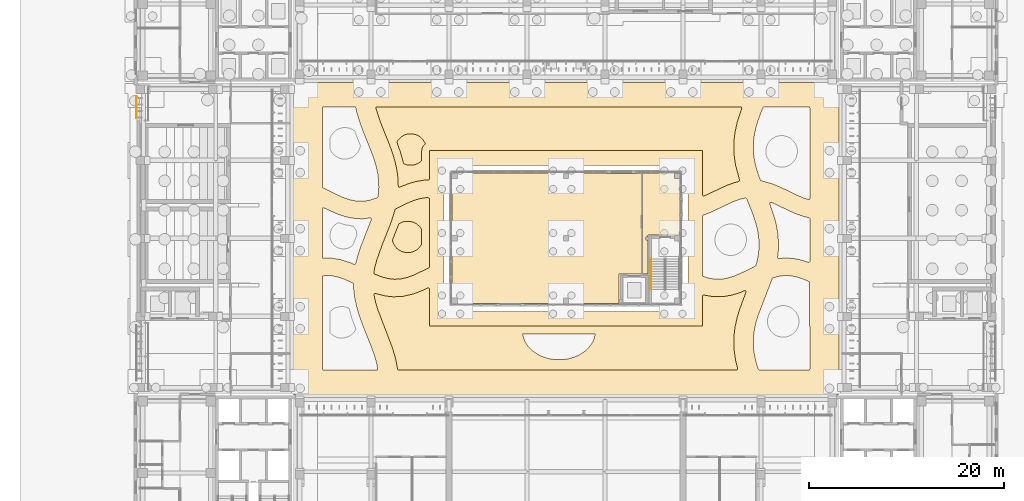
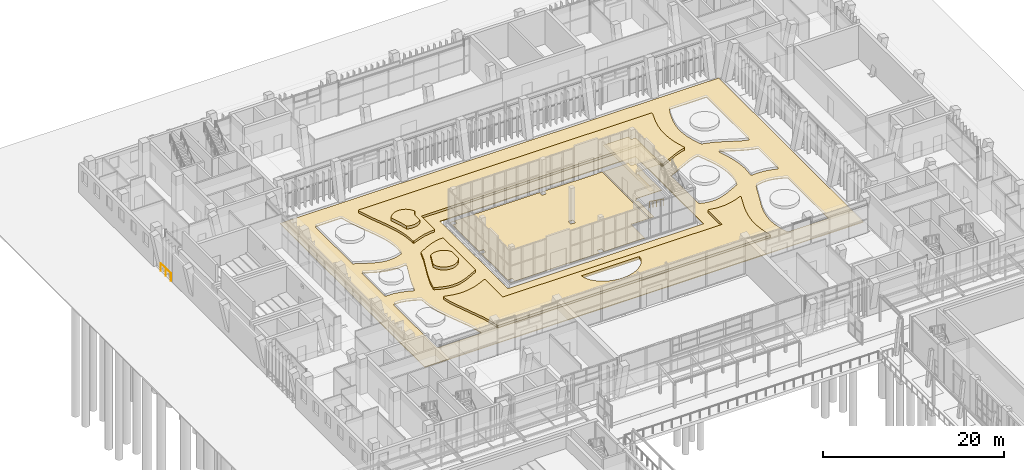
# One storey, part 130 of 144: 9 coverings, 2 railings.
"""IFC4 building model written with IfcOpenShell, lengths in metres."""

from ifc_helpers import new_model, si_unit, direction, frame, origin, origin_2d, place, context, subcontext, project, spatial, polyline, circle, outline, extrude, material, layer, layer_set, type_object, element, save


model = new_model("IFC4")

# Units and contexts
model_context = context("Model", 3, precision=1e-05, world=origin(), true_north=direction((0.0, 1.0)))
body_context = subcontext(model_context, "Body", "Model", "MODEL_VIEW")
ifc_project = project(units=[si_unit("LENGTHUNIT", "METRE"), si_unit("AREAUNIT", "SQUARE_METRE"), si_unit("VOLUMEUNIT", "CUBIC_METRE"), si_unit("PLANEANGLEUNIT", "RADIAN"), si_unit("MASSUNIT", "GRAM", prefix="KILO")], contexts=[model_context])

# Site, building, storey
site_placement = place(None, origin())
site = spatial("IfcSite", under=ifc_project, at=site_placement, CompositionType="ELEMENT")
building_placement = place(site_placement, origin())
building = spatial("IfcBuilding", under=site, at=building_placement, Name="Lantern Court Media Centre", CompositionType="ELEMENT")
storey_placement = place(building_placement, origin())
storey = spatial("IfcBuildingStorey", under=building, at=storey_placement, Name="L00", CompositionType="ELEMENT", Elevation=0.0)

# Coverings
ifc_material_1 = material(Name="Carpet")
ifc_layer_1 = layer(ifc_material_1, 0.050048828125)
ifc_layer_set_1 = layer_set([ifc_layer_1], Name="Carpet")
covering_type_1 = type_object("IfcCoveringType", Name="Carpet floor finish", PredefinedType="FLOORING", material=ifc_layer_set_1)
covering_1_placement = place(storey_placement, origin())
element("IfcCovering", 1, at=covering_1_placement, inside=storey, type_object=covering_type_1, Name="Press Lounge floor finish", PredefinedType="FLOORING", context=body_context, shape_type="SweptSolid", body=[
    extrude(outline(polyline([(60.39990234375, 76.35009765625), (59.867431640625, 76.35009765625), (59.867431640625, 86.699951171875), (63.699951171875, 86.699951171875), (63.699951171875, 84.10498046875), (63.669921875, 84.10009765625), (63.669921875, 82.300048828125), (63.699951171875, 82.294921875), (63.699951171875, 80.35009765625), (60.39990234375, 80.35009765625), (60.39990234375, 80.155029296875), (60.196044921875, 80.153076171875), (60.19580078125, 79.84716796875), (60.39990234375, 79.844970703125), (60.39990234375, 76.35009765625)]), holes=[polyline([(63.1201171875, 86.125), (63.678466796875, 86.12158203125), (63.678466796875, 86.678466796875), (63.12158203125, 86.678466796875), (63.1201171875, 86.125)])]), origin(), (0.0, 0.0, 1.0), 0.050048828125),
])
ifc_material_2 = material(Name="Limestone paving slab", Category="masonry")
ifc_layer_2 = layer(ifc_material_2, 0.10009765625)
ifc_layer_set_2 = layer_set([ifc_layer_2], Name="Limestone paving slab")
covering_type_2 = type_object("IfcCoveringType", Name="Court paving 100", PredefinedType="FLOORING", material=ifc_layer_set_2)
covering_2_placement = place(storey_placement, frame((0.0, 0.0, -0.10009765625)))
element("IfcCovering", 2, at=covering_2_placement, inside=storey, type_object=covering_type_2, Name="Court paving", PredefinedType="FLOORING", context=body_context, shape_type="SweptSolid", body=[
    extrude(outline(polyline([(80.0, 64.0), (24.0, 64.0), (24.0, 96.0), (80.0, 96.0), (80.0, 64.0)]), holes=[polyline([(64.5, 72.5), (64.5, 87.5), (39.5, 87.5), (39.5, 72.5), (64.5, 72.5)]), polyline([(72.2451171875, 93.47900390625), (71.970947265625, 92.844970703125), (71.699951171875, 92.090087890625), (71.47607421875, 91.343017578125), (71.318115234375, 90.631103515625), (71.22509765625, 89.926025390625), (71.202880859375, 89.22607421875), (71.25390625, 88.512939453125), (71.3740234375, 87.802978515625), (71.56005859375, 87.075927734375), (71.803955078125, 86.3291015625), (71.970947265625, 85.927978515625), (73.139892578125, 85.60302734375), (73.987060546875, 85.257080078125), (75.574951171875, 84.491943359375), (76.31494140625, 84.1689453125), (76.8779296875, 83.989990234375), (76.964111328125, 84.02392578125), (77.0, 84.110107421875), (77.0, 93.3798828125), (76.965087890625, 93.465087890625), (76.8798828125, 93.5), (72.31201171875, 93.5), (72.2451171875, 93.47900390625)]), polyline([(76.93994140625, 75.552001953125), (76.468017578125, 75.76611328125), (75.760986328125, 76.01806640625), (75.083984375, 76.1630859375), (74.427001953125, 76.19189453125), (73.782958984375, 76.10791015625), (73.220947265625, 75.947021484375), (73.152099609375, 75.875), (71.699951171875, 72.090087890625), (71.47802734375, 71.35107421875), (71.31591796875, 70.62109375), (71.22509765625, 69.926025390625), (71.202880859375, 69.22607421875), (71.251953125, 68.52490234375), (71.3740234375, 67.802978515625), (71.55810546875, 67.0830078125), (71.72509765625, 66.572021484375), (71.8349609375, 66.5), (76.8798828125, 66.5), (76.965087890625, 66.534912109375), (77.0, 66.6201171875), (76.990966796875, 75.491943359375), (76.93994140625, 75.552001953125)]), polyline([(76.97900390625, 82.080078125), (76.9130859375, 82.1279296875), (76.51806640625, 82.2080078125), (75.64208984375, 82.4990234375), (74.805908203125, 82.864013671875), (73.23291015625, 83.6220703125), (73.035888671875, 83.699951171875), (72.947021484375, 83.68310546875), (72.89892578125, 83.618896484375), (72.89697265625, 83.551025390625), (73.344970703125, 82.25390625), (73.555908203125, 81.4541015625), (73.716064453125, 80.573974609375), (73.7958984375, 79.577880859375), (73.780029296875, 78.778076171875), (73.697998046875, 78.06396484375), (73.715087890625, 77.986083984375), (73.81005859375, 77.928955078125), (74.43798828125, 77.9951171875), (75.385986328125, 77.93994140625), (76.19091796875, 77.76708984375), (76.863037109375, 77.5380859375), (76.9541015625, 77.56298828125), (77.0, 77.656982421875), (77.0, 82.011962890625), (76.97900390625, 82.080078125)]), polyline([(66.033935546875, 76.132080078125), (66.60693359375, 75.93310546875), (67.27587890625, 75.818115234375), (67.922119140625, 75.819091796875), (68.574951171875, 75.931884765625), (69.287109375, 76.162109375), (70.02197265625, 76.47998046875), (71.449951171875, 77.179931640625), (71.54296875, 77.449951171875), (71.695068359375, 78.159912109375), (71.780029296875, 78.864990234375), (71.794921875, 79.575927734375), (71.737060546875, 80.277099609375), (71.610107421875, 80.989013671875), (71.41796875, 81.718017578125), (71.1689453125, 82.467041015625), (70.514892578125, 84.10400390625), (70.416015625, 84.137939453125), (69.85693359375, 84.01708984375), (69.134033203125, 83.758056640625), (66.781005859375, 82.65087890625), (66.06591796875, 82.3759765625), (66.0, 82.26904296875), (66.0, 76.216064453125), (66.033935546875, 76.132080078125)]), polyline([(69.5869140625, 66.551025390625), (69.60693359375, 66.637939453125), (69.407958984375, 67.431884765625), (69.260986328125, 68.330078125), (69.201904296875, 69.22900390625), (69.235107421875, 70.131103515625), (69.35400390625, 71.01611328125), (69.551025390625, 71.888916015625), (69.80810546875, 72.739013671875), (70.47900390625, 74.56005859375), (70.427001953125, 74.635986328125), (70.3369140625, 74.653076171875), (69.87890625, 74.4609375), (69.075927734375, 74.200927734375), (68.152099609375, 74.031005859375), (67.198974609375, 74.01708984375), (66.136962890625, 74.193115234375), (66.0458984375, 74.1689453125), (66.0, 74.074951171875), (65.9970703125, 71.0), (38.0, 71.0), (38.0, 74.81005859375), (37.945068359375, 74.910888671875), (37.841064453125, 74.923095703125), (37.113037109375, 74.592041015625), (36.31005859375, 74.294921875), (35.257080078125, 74.055908203125), (34.304931640625, 74.006103515625), (33.5048828125, 74.093994140625), (32.384033203125, 74.3720703125), (32.30908203125, 74.301025390625), (32.31298828125, 74.1650390625), (32.470947265625, 73.446044921875), (32.68798828125, 72.714111328125), (34.208984375, 68.737060546875), (34.48095703125, 67.81103515625), (34.655029296875, 67.010986328125), (34.715087890625, 66.5830078125), (34.75390625, 66.52587890625), (34.8291015625, 66.5), (69.510986328125, 66.501953125), (69.5869140625, 66.551025390625)]), polyline([(33.924072265625, 89.534912109375), (34.208984375, 88.735107421875), (34.4619140625, 87.885009765625), (34.669921875, 86.923095703125), (34.77001953125, 86.1220703125), (34.794921875, 85.342041015625), (34.830078125, 85.27099609375), (34.89208984375, 85.239013671875), (35.72998046875, 85.569091796875), (36.533935546875, 85.820068359375), (37.4560546875, 85.97607421875), (37.902099609375, 85.986083984375), (37.971923828125, 86.027099609375), (38.0, 86.10400390625), (38.0029296875, 89.0), (66.0, 89.0), (66.0, 84.4609375), (66.0458984375, 84.366943359375), (66.1708984375, 84.35302734375), (68.427001953125, 85.4140625), (69.298095703125, 85.72900390625), (69.736083984375, 85.8330078125), (69.81689453125, 85.926025390625), (69.407958984375, 87.43505859375), (69.260986328125, 88.326904296875), (69.201904296875, 89.23193359375), (69.23388671875, 90.1279296875), (69.339111328125, 90.930908203125), (69.551025390625, 91.888916015625), (70.027099609375, 93.35009765625), (70.009033203125, 93.448974609375), (69.93408203125, 93.498046875), (32.615966796875, 93.5), (32.52294921875, 93.4560546875), (32.5009765625, 93.345947265625), (32.9599609375, 91.9541015625), (33.924072265625, 89.534912109375)]), polyline([(33.76708984375, 75.8759765625), (34.4189453125, 75.804931640625), (35.06689453125, 75.846923828125), (35.748046875, 76.006103515625), (36.450927734375, 76.26611328125), (37.97900390625, 77.009033203125), (38.0, 77.076904296875), (38.0, 84.06298828125), (37.947998046875, 84.1630859375), (37.6650390625, 84.18603515625), (37.013916015625, 84.0830078125), (36.31689453125, 83.866943359375), (35.570068359375, 83.549072265625), (34.48388671875, 83.009033203125), (34.05908203125, 81.64599609375), (33.10400390625, 79.23388671875), (32.569091796875, 77.721923828125), (32.3798828125, 76.993896484375), (32.291015625, 76.47802734375), (32.303955078125, 76.39892578125), (32.364990234375, 76.345947265625), (33.077880859375, 76.06298828125), (33.76708984375, 75.8759765625)]), polyline([(28.37890625, 84.5400390625), (29.1259765625, 84.2080078125), (29.827880859375, 83.965087890625), (30.491943359375, 83.8310546875), (31.14892578125, 83.81005859375), (31.7958984375, 83.903076171875), (32.64404296875, 84.176025390625), (32.69189453125, 84.242919921875), (32.741943359375, 84.530029296875), (32.7958984375, 85.219970703125), (32.779052734375, 85.919921875), (32.68994140625, 86.636962890625), (32.534912109375, 87.346923828125), (32.31494140625, 88.093017578125), (32.0458984375, 88.846923828125), (31.094970703125, 91.23193359375), (30.797119140625, 92.06298828125), (30.5419921875, 92.916015625), (30.4189453125, 93.43798828125), (30.31494140625, 93.5), (27.1201171875, 93.5), (27.034912109375, 93.465087890625), (27.0, 93.3798828125), (27.01904296875, 85.217041015625), (28.37890625, 84.5400390625)]), polyline([(27.1201171875, 66.5), (32.6279296875, 66.513916015625), (32.681884765625, 66.574951171875), (32.68798828125, 66.64501953125), (32.532958984375, 67.35595703125), (32.31689453125, 68.0869140625), (32.044921875, 68.85009765625), (31.0830078125, 71.262939453125), (30.797119140625, 72.06396484375), (30.5419921875, 72.916015625), (30.3330078125, 73.875), (30.23193359375, 74.676025390625), (30.194091796875, 75.368896484375), (30.02197265625, 75.47607421875), (29.278076171875, 75.804931640625), (28.56103515625, 76.048095703125), (27.904052734375, 76.174072265625), (27.26806640625, 76.18798828125), (27.06689453125, 76.154052734375), (27.0, 76.0458984375), (27.013916015625, 66.56298828125), (27.1201171875, 66.5)]), polyline([(28.968994140625, 77.802001953125), (29.887939453125, 77.4990234375), (30.27197265625, 77.333984375), (30.384033203125, 77.35400390625), (30.423095703125, 77.412109375), (30.639892578125, 78.2509765625), (30.9208984375, 79.113037109375), (32.030029296875, 81.93798828125), (32.008056640625, 82.06103515625), (31.9130859375, 82.10107421875), (31.176025390625, 82.008056640625), (30.3759765625, 82.031982421875), (29.425048828125, 82.208984375), (28.43505859375, 82.544921875), (27.162109375, 83.132080078125), (27.0419921875, 83.111083984375), (27.0, 83.01904296875), (27.0, 78.10400390625), (27.033935546875, 78.02001953125), (27.1279296875, 77.98388671875), (28.02197265625, 77.971923828125), (28.968994140625, 77.802001953125)])]), origin(), (0.0, 0.0, 1.0), 0.10009765625),
])
ifc_material_3 = material(Name="Planting soil")
ifc_layer_3 = layer(ifc_material_3, 0.39990234375)
ifc_layer_set_3 = layer_set([ifc_layer_3], Name="Planting soil")
covering_type_3 = type_object("IfcCoveringType", Name="Court planting bed 400", PredefinedType="USERDEFINED", material=ifc_layer_set_3)
covering_3_placement = place(storey_placement, frame((0.0, 0.0, -0.10009765625)))
element("IfcCovering", 3, at=covering_3_placement, inside=storey, type_object=covering_type_3, Name="Court planting bed", ObjectType="PLANTING BED", PredefinedType="USERDEFINED", context=body_context, shape_type="SweptSolid", body=[
    extrude(outline(polyline([(34.715087890625, 66.5830078125), (34.655029296875, 67.010986328125), (34.48095703125, 67.81103515625), (34.208984375, 68.737060546875), (32.68798828125, 72.714111328125), (32.470947265625, 73.446044921875), (32.31298828125, 74.1650390625), (32.30908203125, 74.301025390625), (32.384033203125, 74.3720703125), (33.5048828125, 74.093994140625), (34.304931640625, 74.006103515625), (35.257080078125, 74.055908203125), (36.31005859375, 74.294921875), (37.113037109375, 74.592041015625), (37.841064453125, 74.923095703125), (37.945068359375, 74.910888671875), (38.0, 74.81005859375), (38.0, 71.0), (65.9970703125, 71.0), (66.0, 74.074951171875), (66.0458984375, 74.1689453125), (66.136962890625, 74.193115234375), (67.198974609375, 74.01708984375), (68.152099609375, 74.031005859375), (69.075927734375, 74.200927734375), (69.87890625, 74.4609375), (70.3369140625, 74.653076171875), (70.427001953125, 74.635986328125), (70.47900390625, 74.56005859375), (69.80810546875, 72.739013671875), (69.551025390625, 71.888916015625), (69.35400390625, 71.01611328125), (69.235107421875, 70.131103515625), (69.201904296875, 69.22900390625), (69.260986328125, 68.330078125), (69.407958984375, 67.431884765625), (69.60693359375, 66.637939453125), (69.5869140625, 66.551025390625), (69.510986328125, 66.501953125), (34.8291015625, 66.5), (34.75390625, 66.52587890625), (34.715087890625, 66.5830078125)]), holes=[polyline([(47.652099609375, 69.764892578125), (47.81005859375, 69.39697265625), (48.027099609375, 69.047119140625), (48.299072265625, 68.72412109375), (48.623046875, 68.430908203125), (48.991943359375, 68.174072265625), (49.39892578125, 67.9580078125), (49.839111328125, 67.784912109375), (50.303955078125, 67.659912109375), (50.784912109375, 67.583984375), (51.27392578125, 67.55908203125), (51.763916015625, 67.583984375), (52.2451171875, 67.659912109375), (52.708984375, 67.784912109375), (53.14892578125, 67.9580078125), (53.556884765625, 68.174072265625), (53.926025390625, 68.430908203125), (54.2490234375, 68.72412109375), (54.52197265625, 69.047119140625), (54.739013671875, 69.39697265625), (54.89697265625, 69.764892578125), (54.9970703125, 70.199951171875), (47.552001953125, 70.199951171875), (47.652099609375, 69.764892578125)])]), origin(), (0.0, 0.0, 1.0), 0.400146484375),
])
covering_4_placement = place(storey_placement, frame((0.0, 0.0, -0.10009765625)))
element("IfcCovering", 4, at=covering_4_placement, inside=storey, type_object=covering_type_3, Name="Court planting bed", ObjectType="PLANTING BED", PredefinedType="USERDEFINED", context=body_context, shape_type="SweptSolid", body=[
    extrude(outline(polyline([(32.615966796875, 93.5), (69.93408203125, 93.498046875), (70.009033203125, 93.448974609375), (70.027099609375, 93.35009765625), (69.551025390625, 91.888916015625), (69.339111328125, 90.930908203125), (69.23388671875, 90.1279296875), (69.201904296875, 89.23193359375), (69.260986328125, 88.326904296875), (69.407958984375, 87.43505859375), (69.81689453125, 85.926025390625), (69.736083984375, 85.8330078125), (69.298095703125, 85.72900390625), (68.427001953125, 85.4140625), (66.1708984375, 84.35302734375), (66.0458984375, 84.366943359375), (66.0, 84.4609375), (66.0, 89.0), (38.0029296875, 89.0), (38.0, 86.10400390625), (37.971923828125, 86.027099609375), (37.902099609375, 85.986083984375), (37.4560546875, 85.97607421875), (36.533935546875, 85.820068359375), (35.72998046875, 85.569091796875), (34.89208984375, 85.239013671875), (34.830078125, 85.27099609375), (34.794921875, 85.342041015625), (34.77001953125, 86.1220703125), (34.669921875, 86.923095703125), (34.4619140625, 87.885009765625), (34.208984375, 88.735107421875), (33.924072265625, 89.534912109375), (32.9599609375, 91.9541015625), (32.5009765625, 93.345947265625), (32.52294921875, 93.4560546875), (32.615966796875, 93.5)])), origin(), (0.0, 0.0, 1.0), 0.400146484375),
])
covering_5_placement = place(storey_placement, frame((0.0, 0.0, -0.10009765625)))
element("IfcCovering", 5, at=covering_5_placement, inside=storey, type_object=covering_type_3, Name="Court planting bed", ObjectType="PLANTING BED", PredefinedType="USERDEFINED", context=body_context, shape_type="SweptSolid", body=[
    extrude(outline(polyline([(32.291015625, 76.47802734375), (32.3798828125, 76.993896484375), (32.569091796875, 77.721923828125), (33.10400390625, 79.23388671875), (34.05908203125, 81.64599609375), (34.48388671875, 83.009033203125), (35.570068359375, 83.549072265625), (36.31689453125, 83.866943359375), (37.013916015625, 84.0830078125), (37.6650390625, 84.18603515625), (37.947998046875, 84.1630859375), (38.0, 84.06298828125), (38.0, 77.076904296875), (37.97900390625, 77.009033203125), (36.450927734375, 76.26611328125), (35.748046875, 76.006103515625), (35.06689453125, 75.846923828125), (34.4189453125, 75.804931640625), (33.76708984375, 75.8759765625), (33.077880859375, 76.06298828125), (32.364990234375, 76.345947265625), (32.303955078125, 76.39892578125), (32.291015625, 76.47802734375)])), origin(), (0.0, 0.0, 1.0), 0.400146484375),
])
covering_6_placement = place(storey_placement, frame((0.0, 0.0, 0.300048828125)))
element("IfcCovering", 6, at=covering_6_placement, inside=storey, type_object=covering_type_3, Name="Court shrub island", ObjectType="PLANTING BED", PredefinedType="USERDEFINED", context=body_context, shape_type="SweptSolid", body=[
    extrude(outline(polyline([(36.908935546875, 79.007080078125), (36.75, 78.867919921875), (36.384033203125, 78.656005859375), (35.97509765625, 78.547119140625), (35.552978515625, 78.547119140625), (35.14404296875, 78.656005859375), (34.778076171875, 78.867919921875), (34.617919921875, 79.007080078125), (34.361083984375, 79.343017578125), (34.18701171875, 79.7958984375), (34.845947265625, 81.48291015625), (35.14404296875, 81.64892578125), (35.344970703125, 81.718017578125), (35.552978515625, 81.759033203125), (35.97509765625, 81.759033203125), (36.384033203125, 81.64892578125), (36.573974609375, 81.555908203125), (36.908935546875, 81.298095703125), (37.049072265625, 81.138916015625), (37.199951171875, 80.89599609375), (37.199951171875, 79.409912109375), (36.908935546875, 79.007080078125)])), origin(), (0.0, 0.0, 1.0), 0.39990234375),
])
covering_7_placement = place(storey_placement, frame((0.0, 0.0, 0.300048828125)))
element("IfcCovering", 7, at=covering_7_placement, inside=storey, type_object=covering_type_3, Name="Court shrub island", ObjectType="PLANTING BED", PredefinedType="USERDEFINED", context=body_context, shape_type="SweptSolid", body=[
    extrude(outline(polyline([(36.68701171875, 87.62109375), (36.279052734375, 87.510986328125), (35.85595703125, 87.510986328125), (35.64794921875, 87.552978515625), (35.324951171875, 87.680908203125), (35.22900390625, 88.114013671875), (34.97607421875, 88.962890625), (34.64501953125, 89.887939453125), (34.781982421875, 90.10400390625), (35.0810546875, 90.403076171875), (35.447021484375, 90.614013671875), (35.64794921875, 90.681884765625), (35.85595703125, 90.72412109375), (36.279052734375, 90.72412109375), (36.68701171875, 90.614013671875), (36.876953125, 90.52099609375), (37.053955078125, 90.403076171875), (37.35302734375, 90.10400390625), (37.5830078125, 89.679931640625), (37.385009765625, 89.508056640625), (37.238037109375, 89.23291015625), (37.202880859375, 89.0009765625), (37.201904296875, 87.9619140625), (37.053955078125, 87.83203125), (36.68701171875, 87.62109375)])), origin(), (0.0, 0.0, 1.0), 0.39990234375),
])

# Railings
ifc_material_4 = material(Name="Powder-coated steel", Category="steel")
railing_type_1 = type_object("IfcRailingType", Name="Floor edge guard 1100", PredefinedType="GUARDRAIL", material=ifc_material_4)
railing_1_placement = place(storey_placement, frame((7.93994140625, 94.574951171875, 0.0)))
element("IfcRailing", 8, at=railing_1_placement, inside=storey, type_object=railing_type_1, Name="L00 opening guard 26", PredefinedType="GUARDRAIL", context=body_context, shape_type="SweptSolid", body=[
    extrude(circle(Radius=0.02392578125, at=origin_2d()), frame((0.0, 0.0, 1.076171875), z_axis=(0.0, -1.0, 0.0), x_axis=(1.0, 0.0, 0.0)), (0.0, 0.0, 1.0), 2.224853515625),
    extrude(circle(Radius=0.02099609375, at=origin_2d()), origin(), (0.0, 0.0, 1.0), 1.052001953125),
    extrude(circle(Radius=0.02099609375, at=origin_2d()), frame((0.0, -1.1123046875, 0.0)), (0.0, 0.0, 1.0), 1.052001953125),
    extrude(circle(Radius=0.02099609375, at=origin_2d()), frame((0.0, -2.224853515625, 0.0)), (0.0, 0.0, 1.0), 1.052001953125),
])
railing_type_2 = type_object("IfcRailingType", Name="Stair handrail 900", PredefinedType="HANDRAIL", material=ifc_material_4)
railing_2_placement = place(storey_placement, frame((60.72607421875, 77.89990234375, 0.1845703125)))
element("IfcRailing", 9, at=railing_2_placement, inside=storey, type_object=railing_type_2, Name="L00 ST-PRESS-ST stair handrail 1", PredefinedType="HANDRAIL", context=body_context, shape_type="SweptSolid", body=[
    extrude(circle(Radius=0.02392578125, at=origin_2d()), frame((0.0, 0.0, 0.8759765625), z_axis=(0.0, -0.815355575968, 0.57896052088), x_axis=(1.0, 0.0, 0.0)), (0.0, 0.0, 1.0), 3.826416015625),
    extrude(circle(Radius=0.02099609375, at=origin_2d()), origin(), (0.0, 0.0, 1.0), 0.851806640625),
    extrude(circle(Radius=0.02099609375, at=origin_2d()), frame((0.0, -0.780029296875, 0.5537109375)), (0.0, 0.0, 1.0), 0.851806640625),
    extrude(circle(Radius=0.02099609375, at=origin_2d()), frame((0.0, -1.56005859375, 1.107666015625)), (0.0, 0.0, 1.0), 0.851806640625),
    extrude(circle(Radius=0.02099609375, at=origin_2d()), frame((0.0, -2.33984375, 1.66162109375)), (0.0, 0.0, 1.0), 0.851806640625),
    extrude(circle(Radius=0.02099609375, at=origin_2d()), frame((0.0, -3.119873046875, 2.21533203125)), (0.0, 0.0, 1.0), 0.851806640625),
])

# Coverings
ifc_material_5 = material(Name="Stone", Category="masonry")
ifc_layer_4 = layer(ifc_material_5, 0.050048828125)
ifc_layer_set_4 = layer_set([ifc_layer_4], Name="Stone")
covering_type_4 = type_object("IfcCoveringType", Name="Stone floor finish", PredefinedType="FLOORING", material=ifc_layer_set_4)
covering_8_placement = place(storey_placement, origin())
element("IfcCovering", 10, at=covering_8_placement, inside=storey, type_object=covering_type_4, Name="Press Briefing Hall floor finish", PredefinedType="FLOORING", context=body_context, shape_type="SweptSolid", body=[
    extrude(outline(polyline([(57.449951171875, 76.35009765625), (57.449951171875, 73.300048828125), (47.804931640625, 73.300048828125), (47.800048828125, 73.330078125), (44.800048828125, 73.330078125), (44.794921875, 73.300048828125), (40.300048828125, 73.300048828125), (40.300048828125, 75.89501953125), (40.330078125, 75.89990234375), (40.330078125, 77.699951171875), (40.300048828125, 77.705078125), (40.300048828125, 86.699951171875), (56.195068359375, 86.699951171875), (56.199951171875, 86.669921875), (59.199951171875, 86.669921875), (59.205078125, 86.699951171875), (59.732421875, 86.699951171875), (59.732421875, 76.35009765625), (57.449951171875, 76.35009765625)]), holes=[polyline([(51.719970703125, 86.125), (52.278564453125, 86.12158203125), (52.278564453125, 86.678466796875), (51.721435546875, 86.678466796875), (51.719970703125, 86.125)]), polyline([(51.719970703125, 79.72509765625), (52.278564453125, 79.721435546875), (52.278564453125, 80.278564453125), (51.721435546875, 80.278564453125), (51.719970703125, 79.72509765625)]), polyline([(51.719970703125, 73.324951171875), (52.278564453125, 73.321533203125), (52.278564453125, 73.87841796875), (51.721435546875, 73.87841796875), (51.719970703125, 73.324951171875)]), polyline([(40.320068359375, 86.125), (40.87841796875, 86.12158203125), (40.87841796875, 86.678466796875), (40.321533203125, 86.678466796875), (40.320068359375, 86.125)]), polyline([(40.320068359375, 79.72509765625), (40.87841796875, 79.721435546875), (40.87841796875, 80.278564453125), (40.321533203125, 80.278564453125), (40.320068359375, 79.72509765625)]), polyline([(40.320068359375, 73.324951171875), (40.87841796875, 73.321533203125), (40.87841796875, 73.87841796875), (40.321533203125, 73.87841796875), (40.320068359375, 73.324951171875)])]), origin(), (0.0, 0.0, 1.0), 0.050048828125),
])
ifc_material_6 = material(Name="Mineral fibre ceiling tile")
ifc_layer_5 = layer(ifc_material_6, 0.02001953125)
ifc_layer_set_5 = layer_set([ifc_layer_5], Name="Mineral fibre ceiling tile")
covering_type_5 = type_object("IfcCoveringType", Name="Suspended ceiling tile", PredefinedType="CEILING", material=ifc_layer_set_5)
covering_9_placement = place(storey_placement, frame((0.0, 0.0, 3.60009765625)))
element("IfcCovering", 11, at=covering_9_placement, inside=storey, type_object=covering_type_5, Name="Press Lounge ceiling", PredefinedType="CEILING", context=body_context, shape_type="SweptSolid", body=[
    extrude(outline(polyline([(60.39990234375, 76.35009765625), (59.863037109375, 76.35009765625), (59.863037109375, 86.699951171875), (63.699951171875, 86.699951171875), (63.699951171875, 84.1005859375), (63.674560546875, 84.10009765625), (63.674560546875, 82.300048828125), (63.699951171875, 82.299560546875), (63.699951171875, 80.35009765625), (60.39990234375, 80.35009765625), (60.39990234375, 80.150390625), (60.19970703125, 80.150390625), (60.199462890625, 79.849609375), (60.39990234375, 79.849609375), (60.39990234375, 76.35009765625)]), holes=[polyline([(63.675048828125, 86.12451171875), (63.67529296875, 86.67529296875), (63.124755859375, 86.67529296875), (63.124755859375, 86.124755859375), (63.675048828125, 86.12451171875)])]), origin(), (0.0, 0.0, 1.0), 0.02001953125),
])

save(model, "model.ifc")
